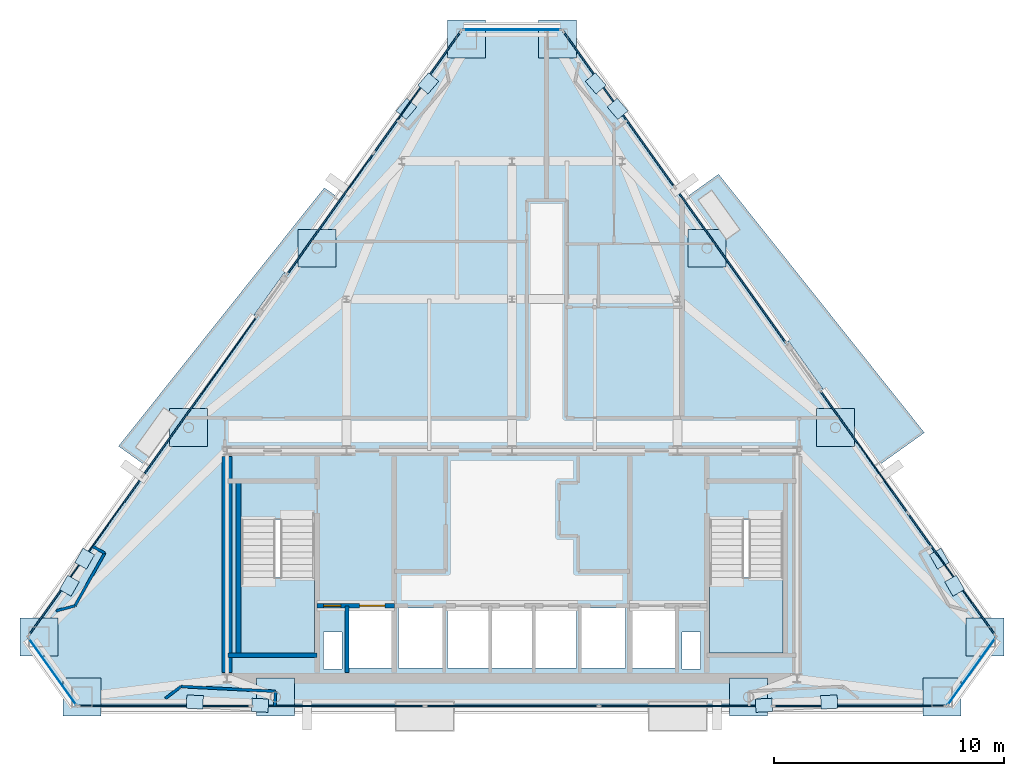
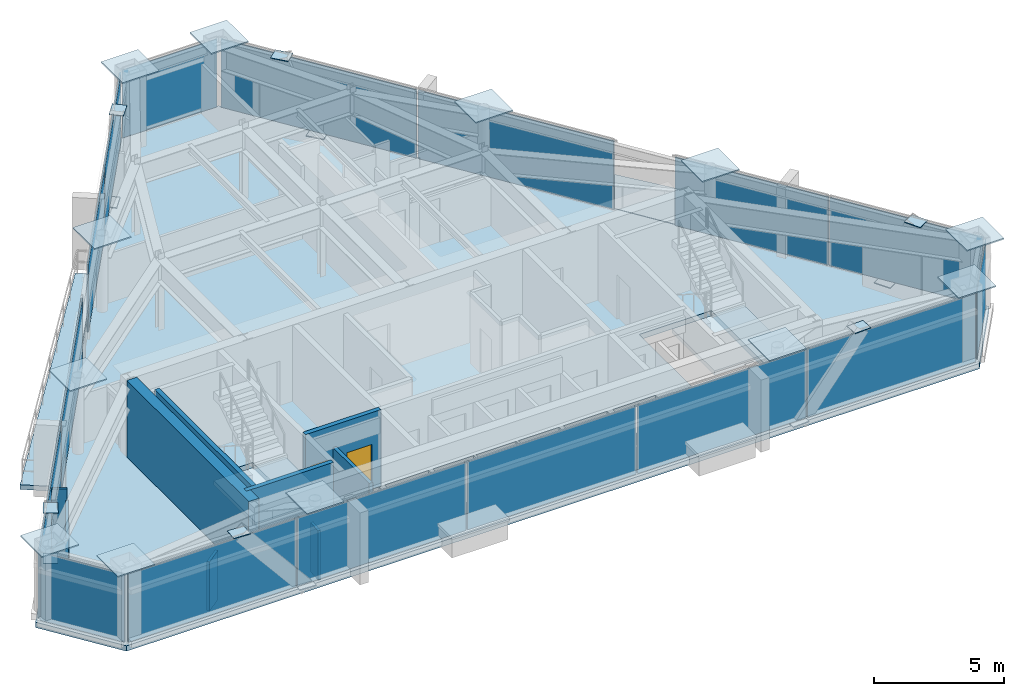
# One storey, part 7 of 11: 40 plates, 11 walls, 5 slabs, 2 doors, 2 openings, 10 elements without a shape of their own.
"""IFC4 building model written with IfcOpenShell, lengths in metres."""

from ifc_helpers import new_model, si_unit, direction, frame, frame_2d, origin, origin_2d, place, context, subcontext, project, spatial, polyline, rectangle, outline, extrude, source, transform, mapped, material, layer, layer_set, type_object, type_shapes, element, fill, aggregate, save


model = new_model("IFC4")

# Units and contexts
model_context = context("Model", 3, precision=1e-05, world=origin(), true_north=direction((0.0, 1.0)))
body_context = subcontext(model_context, "Body", "Model", "MODEL_VIEW")
ifc_project = project(units=[si_unit("LENGTHUNIT", "METRE"), si_unit("AREAUNIT", "SQUARE_METRE"), si_unit("VOLUMEUNIT", "CUBIC_METRE"), si_unit("PLANEANGLEUNIT", "RADIAN"), si_unit("MASSUNIT", "GRAM", prefix="KILO")], contexts=[model_context])

# Site, building, storey
site_placement = place(None, origin())
site = spatial("IfcSite", under=ifc_project, at=site_placement, CompositionType="ELEMENT")
building_placement = place(site_placement, origin())
building = spatial("IfcBuilding", under=site, at=building_placement, Name="Talgorran Terracotta Tower", CompositionType="ELEMENT")
storey_placement = place(building_placement, frame((0.0, 0.0, 274.199951171875)))
storey = spatial("IfcBuildingStorey", under=building, at=storey_placement, Name="L72", CompositionType="ELEMENT", Elevation=274.199951171875)

# Plates
ifc_material_1 = material(Name="Steel Grade 350 (350L0)", Category="steel")
ifc_layer_1 = layer(ifc_material_1, 0.031982421875, Name="PL_CAP_MN07")
ifc_layer_set_1 = layer_set([ifc_layer_1], Name="Steel Grade 350 (350L0)")
plate_type_1 = type_object("IfcPlateType", Name="PL_CAP_MN07", PredefinedType="USERDEFINED", material=ifc_layer_set_1)
for number, where, z_axis, x_axis, name in (
    (1, (-10.961669921875, -15.27880859375, -0.005859375), (0.0, 0.0, 1.0), (-0.998710511839, 0.050767248716, 0.0), "L72 Diagonal Frame End Cap SWF Bot"),
    (2, (-13.802490234375, -15.134521484375, 3.31884765625), (0.0, 0.0, 1.0), (-0.998710511839, 0.050767248716, 0.0), "L72 Diagonal Frame End Cap SWF Top"),
    (3, (10.961669921875, -15.27880859375, -0.005859375), (0.0, 0.0, 1.0), (0.998710511839, 0.050767248716, 0.0), "L72 Diagonal Frame End Cap SEF Bot"),
    (4, (13.802490234375, -15.134521484375, 3.31884765625), (0.0, 0.0, 1.0), (0.998710511839, 0.050767248716, 0.0), "L72 Diagonal Frame End Cap SEF Top"),
    (5, (18.593505859375, -8.900390625, -0.005859375), (0.0, 0.0, 1.0), (0.492879209759, -0.870097744272, 0.0), "L72 Diagonal Frame End Cap NEL Bot"),
    (6, (19.260498046875, -10.077880859375, 3.31884765625), (0.0, 0.0, 1.0), (0.492879209759, -0.870097744272, 0.0), "L72 Diagonal Frame End Cap NEL Top"),
    (7, (4.593994140625, 10.673583984375, -0.005859375), (0.0, 0.0, 1.0), (-0.649978753531, 0.75995238006, 0.0), "L72 Diagonal Frame End Cap NEU Bot"),
    (8, (3.643798828125, 11.78466796875, 3.31884765625), (0.0, 0.0, 1.0), (-0.649978753531, 0.75995238006, 0.0), "L72 Diagonal Frame End Cap NEU Top"),
    (9, (-4.593994140625, 10.673583984375, -0.005859375), (0.0, 0.0, 1.0), (0.649978753531, 0.75995238006, 0.0), "L72 Diagonal Frame End Cap NWU Bot"),
    (10, (-3.643798828125, 11.78466796875, 3.31884765625), (0.0, 0.0, 1.0), (0.649978753531, 0.75995238006, 0.0), "L72 Diagonal Frame End Cap NWU Top"),
    (11, (-18.593505859375, -8.900390625, -0.005859375), (0.0, 0.0, 1.0), (-0.492879209759, -0.870097744272, 0.0), "L72 Diagonal Frame End Cap NWL Bot"),
    (12, (-19.260498046875, -10.077880859375, 3.31884765625), (0.0, 0.0, 1.0), (-0.492879209759, -0.870097744272, 0.0), "L72 Diagonal Frame End Cap NWL Top"),
):
    element("IfcPlate", number, at=place(storey_placement, frame(where, z_axis=z_axis, x_axis=x_axis)), inside=storey, type_object=plate_type_1, Name=name, ObjectType="CAP PLATE", PredefinedType="USERDEFINED", context=body_context, shape_type="SweptSolid", body=[
        extrude(rectangle(XDim=0.719970703125, YDim=0.580078125, at=origin_2d()), origin(), (0.0, 0.0, 1.0), 0.031982421875),
    ])
ifc_layer_2 = layer(ifc_material_1, 0.06005859375, Name="PL_NODE_MN01")
ifc_layer_set_2 = layer_set([ifc_layer_2], Name="Steel Grade 350 (350L0)")
plate_type_2 = type_object("IfcPlateType", Name="PL_NODE_MN01", PredefinedType="USERDEFINED", material=ifc_layer_set_2)
for number, where, z_axis, x_axis, name in (
    (13, (-20.5849609375, -12.303466796875, 3.5849609375), (0.0, 0.0, 1.0), (1.0, 0.0, 0.0), "L72 Mega-Column Cap Plate MC1"),
    (14, (-18.71435546875, -14.9189453125, 3.5849609375), (0.0, 0.0, 1.0), (1.0, 0.0, 0.0), "L72 Mega-Column Cap Plate MC2"),
    (15, (18.71435546875, -14.9189453125, 3.5849609375), (0.0, 0.0, 1.0), (1.0, 0.0, 0.0), "L72 Mega-Column Cap Plate MC3"),
    (16, (20.5849609375, -12.303466796875, 3.5849609375), (0.0, 0.0, 1.0), (1.0, 0.0, 0.0), "L72 Mega-Column Cap Plate MC4"),
    (17, (1.97509765625, 13.716796875, 3.5849609375), (0.0, 0.0, 1.0), (1.0, 0.0, 0.0), "L72 Mega-Column Cap Plate MC5"),
    (18, (-1.97509765625, 13.716796875, 3.5849609375), (0.0, 0.0, 1.0), (1.0, 0.0, 0.0), "L72 Mega-Column Cap Plate MC6"),
    (19, (-10.29296875, -14.9189453125, 3.5849609375), (0.0, 0.0, 1.0), (1.0, 0.0, 0.0), "L72 Facet Column Cap Plate FC1"),
    (20, (10.29296875, -14.9189453125, 3.5849609375), (0.0, 0.0, 1.0), (1.0, 0.0, 0.0), "L72 Facet Column Cap Plate FC2"),
    (21, (14.071533203125, -3.1962890625, 3.5849609375), (0.0, 0.0, 1.0), (1.0, 0.0, 0.0), "L72 Facet Column Cap Plate FC3"),
    (22, (8.488525390625, 4.609619140625, 3.5849609375), (0.0, 0.0, 1.0), (1.0, 0.0, 0.0), "L72 Facet Column Cap Plate FC4"),
    (23, (-8.488525390625, 4.609619140625, 3.5849609375), (0.0, 0.0, 1.0), (1.0, 0.0, 0.0), "L72 Facet Column Cap Plate FC5"),
    (24, (-14.071533203125, -3.1962890625, 3.5849609375), (0.0, 0.0, 1.0), (1.0, 0.0, 0.0), "L72 Facet Column Cap Plate FC6"),
):
    element("IfcPlate", number, at=place(storey_placement, frame(where, z_axis=z_axis, x_axis=x_axis)), inside=storey, type_object=plate_type_2, Name=name, ObjectType="NODE PLATE", PredefinedType="USERDEFINED", context=body_context, shape_type="SweptSolid", body=[
        extrude(rectangle(XDim=1.64990234375, YDim=1.64990234375, at=origin_2d()), origin(), (0.0, 0.0, 1.0), 0.06005859375),
    ])

# Slabs
ifc_material_2 = material(Name="Concrete C40/50", Category="concrete")
ifc_layer_3 = layer(ifc_material_2, 0.219970703125, Name="SL_BALCONY_220")
ifc_layer_set_3 = layer_set([ifc_layer_3], Name="Concrete C40/50")
slab_type_1 = type_object("IfcSlabType", Name="SL_BALCONY_220", PredefinedType="FLOOR", material=ifc_layer_set_3)
slab_1_placement = place(storey_placement, frame((0.0, 0.0, -0.219970703125)))
element("IfcSlab", 25, at=slab_1_placement, inside=storey, type_object=slab_type_1, Name="L72 Outdoor Wave Balcony BAL-NE", PredefinedType="FLOOR", context=body_context, shape_type="SweptSolid", body=[
    extrude(outline(polyline([(7.569580078125, 6.814208984375), (15.92138671875, -4.863525390625), (17.94384765625, -3.4169921875), (8.989501953125, 7.829833984375), (7.569580078125, 6.814208984375)])), origin(), (0.0, 0.0, 1.0), 0.219970703125),
])
slab_2_placement = place(storey_placement, frame((0.0, 0.0, -0.219970703125)))
element("IfcSlab", 26, at=slab_2_placement, inside=storey, type_object=slab_type_1, Name="L72 Outdoor Wave Balcony BAL-NW", PredefinedType="FLOOR", context=body_context, shape_type="SweptSolid", body=[
    extrude(outline(polyline([(-15.92138671875, -4.863525390625), (-7.569580078125, 6.814208984375), (-8.16650390625, 7.2412109375), (-17.12060546875, -4.005859375), (-15.92138671875, -4.863525390625)])), origin(), (0.0, 0.0, 1.0), 0.219970703125),
])

# Stair, slab
stair_type = type_object("IfcStairType", Name="ST_FIRE_SCISSOR", PredefinedType="HALF_TURN_STAIR", material=ifc_material_2)
stair_1_placement = place(storey_placement, origin())
stair_1 = element("IfcStair", 27, at=stair_1_placement, inside=storey, type_object=stair_type, Name="L72 West Protected Fire Stair ST-01", PredefinedType="HALF_TURN_STAIR")
ifc_layer_4 = layer(ifc_material_2, 0.199951171875, Name="SL_LANDING_200")
ifc_layer_set_4 = layer_set([ifc_layer_4], Name="Concrete C40/50")
slab_type_2 = type_object("IfcSlabType", Name="SL_LANDING_200", PredefinedType="LANDING", material=ifc_layer_set_4)
slab_3_placement = place(storey_placement, frame((0.0, 0.0, 1.60009765625)))
slab_3 = element("IfcSlab", 28, at=slab_3_placement, type_object=slab_type_2, Name="ST-01 landing 1", PredefinedType="LANDING", context=body_context, shape_type="SweptSolid", body=[
    extrude(outline(polyline([(-11.800048828125, -9.719970703125), (-11.800048828125, -13.0), (-8.60009765625, -13.0), (-8.60009765625, -9.719970703125), (-11.800048828125, -9.719970703125)])), origin(), (0.0, 0.0, 1.0), 0.199951171875),
])
aggregate(stair_1, [slab_3])

stair_2_placement = place(storey_placement, origin())
stair_2 = element("IfcStair", 29, at=stair_2_placement, inside=storey, type_object=stair_type, Name="L72 East Protected Fire Stair ST-02", PredefinedType="HALF_TURN_STAIR")
slab_4_placement = place(storey_placement, frame((0.0, 0.0, 1.60009765625)))
slab_4 = element("IfcSlab", 30, at=slab_4_placement, type_object=slab_type_2, Name="ST-02 landing 1", PredefinedType="LANDING", context=body_context, shape_type="SweptSolid", body=[
    extrude(outline(polyline([(8.60009765625, -9.719970703125), (8.60009765625, -13.0), (11.800048828125, -13.0), (11.800048828125, -9.719970703125), (8.60009765625, -9.719970703125)])), origin(), (0.0, 0.0, 1.0), 0.199951171875),
])
aggregate(stair_2, [slab_4])

# Slab
ifc_layer_5 = layer(ifc_material_2, 0.2548828125, Name="SL_TOWER_235")
ifc_layer_set_5 = layer_set([ifc_layer_5], Name="Concrete C40/50")
slab_type_3 = type_object("IfcSlabType", Name="SL_TOWER_235", PredefinedType="FLOOR", material=ifc_layer_set_5)
slab_5_placement = place(storey_placement, frame((0.0, 0.0, -0.2548828125)))
element("IfcSlab", 31, at=slab_5_placement, inside=storey, type_object=slab_type_3, Name="Storey L72 Structural Floor Slab", PredefinedType="FLOOR", context=body_context, shape_type="SweptSolid", body=[
    extrude(outline(polyline([(-21.22412109375, -12.303466796875), (-18.981689453125, -15.43896484375), (18.981689453125, -15.43896484375), (21.22412109375, -12.303466796875), (2.242431640625, 14.23681640625), (-2.242431640625, 14.23681640625), (-21.22412109375, -12.303466796875)]), holes=[polyline([(-11.800048828125, -7.199951171875), (-11.800048828125, -13.0), (-8.60009765625, -13.0), (-8.60009765625, -7.199951171875), (-11.800048828125, -7.199951171875)]), polyline([(8.60009765625, -7.199951171875), (8.60009765625, -13.0), (11.800048828125, -13.0), (11.800048828125, -7.199951171875), (8.60009765625, -7.199951171875)]), polyline([(-7.10009765625, -13.64990234375), (-5.199951171875, -13.64990234375), (-5.199951171875, -11.050048828125), (-7.10009765625, -11.050048828125), (-7.10009765625, -13.64990234375)]), polyline([(5.199951171875, -13.64990234375), (7.10009765625, -13.64990234375), (7.10009765625, -11.050048828125), (5.199951171875, -11.050048828125), (5.199951171875, -13.64990234375)]), polyline([(3.0, -13.64990234375), (4.949951171875, -13.64990234375), (4.949951171875, -11.050048828125), (3.0, -11.050048828125), (3.0, -13.64990234375)]), polyline([(-4.949951171875, -13.64990234375), (-3.0, -13.64990234375), (-3.0, -11.050048828125), (-4.949951171875, -11.050048828125), (-4.949951171875, -13.64990234375)]), polyline([(-2.800048828125, -13.64990234375), (-1.0, -13.64990234375), (-1.0, -11.050048828125), (-2.800048828125, -11.050048828125), (-2.800048828125, -13.64990234375)]), polyline([(-0.89990234375, -13.64990234375), (0.89990234375, -13.64990234375), (0.89990234375, -11.050048828125), (-0.89990234375, -11.050048828125), (-0.89990234375, -13.64990234375)]), polyline([(1.0, -13.64990234375), (2.800048828125, -13.64990234375), (2.800048828125, -11.050048828125), (1.0, -11.050048828125), (1.0, -13.64990234375)]), polyline([(-8.199951171875, -13.699951171875), (-7.39990234375, -13.699951171875), (-7.39990234375, -12.10009765625), (-8.199951171875, -12.10009765625), (-8.199951171875, -13.699951171875)]), polyline([(7.39990234375, -13.699951171875), (8.199951171875, -13.699951171875), (8.199951171875, -12.10009765625), (7.39990234375, -12.10009765625), (7.39990234375, -13.699951171875)])]), origin(), (0.0, 0.0, 1.0), 0.2548828125),
])

# Curtain wall, plate
ifc_material_3 = material(Name="High-Wind Unitised Glazing", Category="glass")
ifc_layer_6 = layer(ifc_material_3, 0.2099609375, Name="CW_SYS3_RES_HIGH")
ifc_layer_set_6 = layer_set([ifc_layer_6], Name="High-Wind Unitised Glazing")
curtain_wall_type = type_object("IfcCurtainWallType", Name="CW_SYS3_RES_HIGH", PredefinedType="NOTDEFINED", material=ifc_layer_set_6)
curtain_wall_1_placement = place(storey_placement, origin())
curtain_wall_1 = element("IfcCurtainWall", 32, at=curtain_wall_1_placement, inside=storey, type_object=curtain_wall_type, Name="CW-L72-F0", PredefinedType="NOTDEFINED")
ifc_material_4 = material(Name="High-Wind Acoustic Vision Glass", Category="glass")
ifc_layer_7 = layer(ifc_material_4, 0.031982421875, Name="PLT_VISION_32")
ifc_layer_set_7 = layer_set([ifc_layer_7], Name="High-Wind Acoustic Vision Glass")
plate_type_3 = type_object("IfcPlateType", Name="PLT_VISION_32", PredefinedType="CURTAIN_PANEL", material=ifc_layer_set_7)
shared_shape_1 = source(origin(), body_context, "Body", "SweptSolid", [
    extrude(rectangle(XDim=3.5673828125, YDim=0.031982421875, at=origin_2d()), origin(), (0.0, 0.0, 1.0), 3.205078125),
])
plate_1_placement = place(storey_placement, frame((-19.998291015625, -13.811279296875, 0.070068359375), z_axis=(0.0, 0.0, 1.0), x_axis=(0.581745845777, -0.813370623345, 0.0)))
plate_1 = element("IfcPlate", 33, at=plate_1_placement, type_object=plate_type_3, Name="CW-L72-0 panel 1.1", PredefinedType="CURTAIN_PANEL", context=body_context, shape_type="MappedRepresentation", body=[
    mapped(shared_shape_1, transform((0.0, 0.0, 0.0), scale=1.0)),
])
aggregate(curtain_wall_1, [plate_1])

curtain_wall_2_placement = place(storey_placement, origin())
curtain_wall_2 = element("IfcCurtainWall", 34, at=curtain_wall_2_placement, inside=storey, type_object=curtain_wall_type, Name="CW-L72-F2", PredefinedType="NOTDEFINED")
plate_2_placement = place(storey_placement, frame((19.998291015625, -13.811279296875, 0.070068359375), z_axis=(0.0, 0.0, 1.0), x_axis=(0.581745845777, 0.813370623345, 0.0)))
plate_2 = element("IfcPlate", 35, at=plate_2_placement, type_object=plate_type_3, Name="CW-L72-2 panel 1.1", PredefinedType="CURTAIN_PANEL", context=body_context, shape_type="MappedRepresentation", body=[
    mapped(shared_shape_1, transform((0.0, 0.0, 0.0), scale=1.0)),
])
aggregate(curtain_wall_2, [plate_2])

curtain_wall_3_placement = place(storey_placement, origin())
curtain_wall_3 = element("IfcCurtainWall", 36, at=curtain_wall_3_placement, inside=storey, type_object=curtain_wall_type, Name="CW-L72-F4", PredefinedType="NOTDEFINED")
shared_shape_2 = source(origin(), body_context, "Body", "SweptSolid", [
    extrude(rectangle(XDim=4.2216796875, YDim=0.031982421875, at=origin_2d()), origin(), (0.0, 0.0, 1.0), 3.205078125),
])
type_shapes(plate_type_3, [shared_shape_1, shared_shape_2])
plate_3_placement = place(storey_placement, frame((0.0, 14.11669921875, 0.070068359375), z_axis=(0.0, 0.0, 1.0), x_axis=(-1.0, 0.0, 0.0)))
plate_3 = element("IfcPlate", 37, at=plate_3_placement, type_object=plate_type_3, Name="CW-L72-4 panel 1.1", PredefinedType="CURTAIN_PANEL", context=body_context, shape_type="MappedRepresentation", body=[
    mapped(shared_shape_2, transform((0.0, 0.0, 0.0), scale=1.0)),
])
aggregate(curtain_wall_3, [plate_3])

# Curtain wall, plates
curtain_wall_4_placement = place(storey_placement, origin())
curtain_wall_4 = element("IfcCurtainWall", 38, at=curtain_wall_4_placement, inside=storey, type_object=curtain_wall_type, Name="CW-L72-F1", PredefinedType="NOTDEFINED")
ifc_material_5 = material(Name="Terracotta Insulated Spandrel", Category="masonry")
ifc_layer_8 = layer(ifc_material_5, 0.06494140625, Name="PLT_SPANDREL_TERRA")
ifc_layer_set_8 = layer_set([ifc_layer_8], Name="Terracotta Insulated Spandrel")
plate_type_4 = type_object("IfcPlateType", Name="PLT_SPANDREL_TERRA", PredefinedType="SHEET", material=ifc_layer_set_8)
shared_shape_3 = source(origin(), body_context, "Body", "SweptSolid", [
    extrude(rectangle(XDim=7.462890625, YDim=0.06494140625, at=origin_2d()), origin(), (0.0, 0.0, 1.0), 3.205078125),
])
plate_4_placement = place(storey_placement, frame((-15.118408203125, -15.31884765625, 0.070068359375), z_axis=(0.0, 0.0, 1.0), x_axis=(1.0, 0.0, 0.0)))
plate_4 = element("IfcPlate", 39, at=plate_4_placement, type_object=plate_type_4, Name="CW-L72-1 panel 1.1", PredefinedType="CURTAIN_PANEL", context=body_context, shape_type="MappedRepresentation", body=[
    mapped(shared_shape_3, transform((0.0, 0.0, 0.0), scale=1.0)),
])
plate_5_placement = place(storey_placement, frame((15.118408203125, -15.31884765625, 0.070068359375), z_axis=(0.0, 0.0, 1.0), x_axis=(1.0, 0.0, 0.0)))
plate_5 = element("IfcPlate", 40, at=plate_5_placement, type_object=plate_type_4, Name="CW-L72-1 panel 5.1", PredefinedType="CURTAIN_PANEL", context=body_context, shape_type="MappedRepresentation", body=[
    mapped(shared_shape_3, transform((0.0, 0.0, 0.0), scale=1.0)),
])
shared_shape_4 = source(origin(), body_context, "Body", "SweptSolid", [
    extrude(rectangle(XDim=7.498046875, YDim=0.06494140625, at=origin_2d()), origin(), (0.0, 0.0, 1.0), 3.205078125),
])
plate_6_placement = place(storey_placement, frame((-7.568115234375, -15.31884765625, 0.070068359375), z_axis=(0.0, 0.0, 1.0), x_axis=(1.0, 0.0, 0.0)))
plate_6 = element("IfcPlate", 41, at=plate_6_placement, type_object=plate_type_4, Name="CW-L72-1 panel 2.1", PredefinedType="CURTAIN_PANEL", context=body_context, shape_type="MappedRepresentation", body=[
    mapped(shared_shape_4, transform((0.0, 0.0, 0.0), scale=1.0)),
])
plate_7_placement = place(storey_placement, frame((0.0, -15.31884765625, 0.070068359375), z_axis=(0.0, 0.0, 1.0), x_axis=(1.0, 0.0, 0.0)))
plate_7 = element("IfcPlate", 42, at=plate_7_placement, type_object=plate_type_4, Name="CW-L72-1 panel 3.1", PredefinedType="CURTAIN_PANEL", context=body_context, shape_type="MappedRepresentation", body=[
    mapped(shared_shape_4, transform((0.0, 0.0, 0.0), scale=1.0)),
])
plate_8_placement = place(storey_placement, frame((7.568115234375, -15.31884765625, 0.070068359375), z_axis=(0.0, 0.0, 1.0), x_axis=(1.0, 0.0, 0.0)))
plate_8 = element("IfcPlate", 43, at=plate_8_placement, type_object=plate_type_4, Name="CW-L72-1 panel 4.1", PredefinedType="CURTAIN_PANEL", context=body_context, shape_type="MappedRepresentation", body=[
    mapped(shared_shape_4, transform((0.0, 0.0, 0.0), scale=1.0)),
])
aggregate(curtain_wall_4, [plate_4, plate_6, plate_7, plate_8, plate_5])

curtain_wall_5_placement = place(storey_placement, origin())
curtain_wall_5 = element("IfcCurtainWall", 44, at=curtain_wall_5_placement, inside=storey, type_object=curtain_wall_type, Name="CW-L72-F40", PredefinedType="NOTDEFINED")
shared_shape_5 = source(origin(), body_context, "Body", "SweptSolid", [
    extrude(rectangle(XDim=6.482421875, YDim=0.06494140625, at=origin_2d()), origin(), (0.0, 0.0, 1.0), 3.205078125),
])
plate_9_placement = place(storey_placement, frame((19.127197265625, -9.57763671875, 0.070068359375), z_axis=(0.0, 0.0, 1.0), x_axis=(-0.581729195229, 0.813382532034, 0.0)))
plate_9 = element("IfcPlate", 45, at=plate_9_placement, type_object=plate_type_4, Name="CW-L72-40 panel 1.1", PredefinedType="CURTAIN_PANEL", context=body_context, shape_type="MappedRepresentation", body=[
    mapped(shared_shape_5, transform((0.0, 0.0, 0.0), scale=1.0)),
])
plate_10_placement = place(storey_placement, frame((15.3154296875, -4.248046875, 0.070068359375), z_axis=(0.0, 0.0, 1.0), x_axis=(-0.581729195229, 0.813382532034, 0.0)))
plate_10 = element("IfcPlate", 46, at=plate_10_placement, type_object=plate_type_4, Name="CW-L72-40 panel 2.1", PredefinedType="CURTAIN_PANEL", context=body_context, shape_type="MappedRepresentation", body=[
    mapped(shared_shape_5, transform((0.0, 0.0, 0.0), scale=1.0)),
])
aggregate(curtain_wall_5, [plate_9, plate_10])

curtain_wall_6_placement = place(storey_placement, origin())
curtain_wall_6 = element("IfcCurtainWall", 47, at=curtain_wall_6_placement, inside=storey, type_object=curtain_wall_type, Name="CW-L72-F41", PredefinedType="NOTDEFINED")
shared_shape_6 = source(origin(), body_context, "Body", "SweptSolid", [
    extrude(rectangle(XDim=8.278564453125, YDim=0.06494140625, at=origin_2d()), origin(), (0.0, 0.0, 1.0), 3.205078125),
])
plate_11_placement = place(storey_placement, frame((9.509521484375, 3.869873046875, 0.070068359375), z_axis=(0.0, 0.0, 1.0), x_axis=(-0.581732855076, 0.813379914508, 0.0)))
plate_11 = element("IfcPlate", 48, at=plate_11_placement, type_object=plate_type_4, Name="CW-L72-41 panel 1.1", PredefinedType="CURTAIN_PANEL", context=body_context, shape_type="MappedRepresentation", body=[
    mapped(shared_shape_6, transform((0.0, 0.0, 0.0), scale=1.0)),
])
plate_12_placement = place(storey_placement, frame((4.65283203125, 10.660400390625, 0.070068359375), z_axis=(0.0, 0.0, 1.0), x_axis=(-0.581732855076, 0.813379914508, 0.0)))
plate_12 = element("IfcPlate", 49, at=plate_12_placement, type_object=plate_type_4, Name="CW-L72-41 panel 2.1", PredefinedType="CURTAIN_PANEL", context=body_context, shape_type="MappedRepresentation", body=[
    mapped(shared_shape_6, transform((0.0, 0.0, 0.0), scale=1.0)),
])
aggregate(curtain_wall_6, [plate_11, plate_12])

curtain_wall_7_placement = place(storey_placement, origin())
curtain_wall_7 = element("IfcCurtainWall", 50, at=curtain_wall_7_placement, inside=storey, type_object=curtain_wall_type, Name="CW-L72-F60", PredefinedType="NOTDEFINED")
shared_shape_7 = source(origin(), body_context, "Body", "SweptSolid", [
    extrude(rectangle(XDim=6.445068359375, YDim=0.06494140625, at=origin_2d()), origin(), (0.0, 0.0, 1.0), 3.205078125),
])
plate_13_placement = place(storey_placement, frame((-4.119384765625, 11.40625, 0.070068359375), z_axis=(0.0, 0.0, 1.0), x_axis=(-0.581731264367, -0.813381052188, 0.0)))
plate_13 = element("IfcPlate", 51, at=plate_13_placement, type_object=plate_type_4, Name="CW-L72-60 panel 1.1", PredefinedType="CURTAIN_PANEL", context=body_context, shape_type="MappedRepresentation", body=[
    mapped(shared_shape_7, transform((0.0, 0.0, 0.0), scale=1.0)),
])
plate_14_placement = place(storey_placement, frame((-7.90966796875, 6.10693359375, 0.070068359375), z_axis=(0.0, 0.0, 1.0), x_axis=(-0.581731264367, -0.813381052188, 0.0)))
plate_14 = element("IfcPlate", 52, at=plate_14_placement, type_object=plate_type_4, Name="CW-L72-60 panel 2.1", PredefinedType="CURTAIN_PANEL", context=body_context, shape_type="MappedRepresentation", body=[
    mapped(shared_shape_7, transform((0.0, 0.0, 0.0), scale=1.0)),
])
aggregate(curtain_wall_7, [plate_13, plate_14])

curtain_wall_8_placement = place(storey_placement, origin())
curtain_wall_8 = element("IfcCurtainWall", 53, at=curtain_wall_8_placement, inside=storey, type_object=curtain_wall_type, Name="CW-L72-F61", PredefinedType="NOTDEFINED")
shared_shape_8 = source(origin(), body_context, "Body", "SweptSolid", [
    extrude(rectangle(XDim=8.4658203125, YDim=0.06494140625, at=origin_2d()), origin(), (0.0, 0.0, 1.0), 3.205078125),
])
type_shapes(plate_type_4, [shared_shape_3, shared_shape_4, shared_shape_5, shared_shape_6, shared_shape_7, shared_shape_8])
plate_15_placement = place(storey_placement, frame((-13.584716796875, -1.828125, 0.070068359375), z_axis=(0.0, 0.0, 1.0), x_axis=(-0.581730877251, -0.813381329053, 0.0)))
plate_15 = element("IfcPlate", 54, at=plate_15_placement, type_object=plate_type_4, Name="CW-L72-61 panel 1.1", PredefinedType="CURTAIN_PANEL", context=body_context, shape_type="MappedRepresentation", body=[
    mapped(shared_shape_8, transform((0.0, 0.0, 0.0), scale=1.0)),
])
plate_16_placement = place(storey_placement, frame((-18.55029296875, -8.77099609375, 0.070068359375), z_axis=(0.0, 0.0, 1.0), x_axis=(-0.581730877251, -0.813381329053, 0.0)))
plate_16 = element("IfcPlate", 55, at=plate_16_placement, type_object=plate_type_4, Name="CW-L72-61 panel 2.1", PredefinedType="CURTAIN_PANEL", context=body_context, shape_type="MappedRepresentation", body=[
    mapped(shared_shape_8, transform((0.0, 0.0, 0.0), scale=1.0)),
])
aggregate(curtain_wall_8, [plate_15, plate_16])

# Walls
ifc_material_6 = material(Name="Concrete C50/60", Category="concrete")
ifc_layer_9 = layer(ifc_material_6, 0.199951171875, Name="WT_CORE_200")
ifc_layer_set_9 = layer_set([ifc_layer_9], Name="Concrete C50/60")
wall_type_1 = type_object("IfcWallType", Name="WT_CORE_200", PredefinedType="SOLIDWALL", material=ifc_layer_set_9)
wall_1_placement = place(storey_placement, frame((-12.35009765625, -13.10009765625, 0.0), z_axis=(0.0, 0.0, 1.0), x_axis=(1.0, 0.0, 0.0)))
element("IfcWall", 56, at=wall_1_placement, inside=storey, type_object=wall_type_1, Name="WL-L72-CW-ST1-S", PredefinedType="SOLIDWALL", context=body_context, shape_type="SweptSolid", body=[
    extrude(rectangle(XDim=3.8701171875, YDim=0.199951171875, at=frame_2d((1.93505859375, 0.0))), origin(), (0.0, 0.0, 1.0), 3.60009765625),
])
wall_2_placement = place(storey_placement, frame((-11.89990234375, -13.10009765625, 0.0), z_axis=(0.0, 0.0, 1.0), x_axis=(0.0, 1.0, 0.0)))
element("IfcWall", 57, at=wall_2_placement, inside=storey, type_object=wall_type_1, Name="WL-L72-CW-ST1-W", PredefinedType="SOLIDWALL", context=body_context, shape_type="SweptSolid", body=[
    extrude(rectangle(XDim=7.580078125, YDim=0.199951171875, at=frame_2d((3.7900390625, 0.0))), origin(), (0.0, 0.0, 1.0), 3.60009765625),
])

# Wall, openings, doors
wall_3_placement = place(storey_placement, frame((-8.47998046875, -10.949951171875, 0.0), z_axis=(0.0, 0.0, 1.0), x_axis=(1.0, 0.0, 0.0)))
wall_3 = element("IfcWall", 58, at=wall_3_placement, inside=storey, type_object=wall_type_1, Name="WL-L72-CW-H-SBW", PredefinedType="SOLIDWALL", context=body_context, shape_type="SweptSolid", body=[
    extrude(rectangle(XDim=3.35986328125, YDim=0.199951171875, at=frame_2d((1.679931640625, 0.0))), origin(), (0.0, 0.0, 1.0), 3.60009765625),
])
opening_1_placement = place(wall_3_placement, frame((0.280029296875, 0.0, 0.0)))
opening_1 = element("IfcOpeningElement", 59, at=opening_1_placement, cuts=wall_3, Name="Opening DR-RSW", PredefinedType="OPENING", context=body_context, shape_type="SweptSolid", body=[
    extrude(rectangle(XDim=0.756, YDim=2.054048828125, at=frame_2d((0.375, 1.027099609375))), frame((0.0, 0.10986328125, 0.0), z_axis=(0.0, -1.0, 0.0), x_axis=(1.0, 0.0, 0.0)), (0.0, 0.0, 1.0), 0.219970703125),
])
opening_2_placement = place(wall_3_placement, frame((1.85009765625, 0.0, 0.0)))
opening_2 = element("IfcOpeningElement", 60, at=opening_2_placement, cuts=wall_3, Name="Opening LD-FFL1", PredefinedType="OPENING", context=body_context, shape_type="SweptSolid", body=[
    extrude(rectangle(XDim=1.10609765625, YDim=2.10409765625, at=frame_2d((0.550048828125, 1.052001953125))), frame((0.0, 0.10986328125, 0.0), z_axis=(0.0, -1.0, 0.0), x_axis=(1.0, 0.0, 0.0)), (0.0, 0.0, 1.0), 0.219970703125),
])
ifc_material_7 = material(Name="Brushed Stainless Steel Grade 304", Category="steel")
door_type_1 = type_object("IfcDoorType", Name="DT_LIFT_LD1100", OperationType="DOUBLE_DOOR_SLIDING", PredefinedType="DOOR", material=ifc_material_7)
door_1_placement = place(opening_2_placement, origin())
door_1 = element("IfcDoor", 61, at=door_1_placement, inside=storey, type_object=door_type_1, Name="L72 Lift Landing Door LD-FFL1", OperationType="DOUBLE_DOOR_SLIDING", OverallHeight=2.10009765625, OverallWidth=1.10009765625, PredefinedType="DOOR", context=body_context, shape_type="SweptSolid", body=[
    extrude(rectangle(XDim=1.10009765625, YDim=2.10009765625, at=frame_2d((0.550048828125, 1.050048828125))), frame((0.0, 0.02490234375, 0.0), z_axis=(0.0, -1.0, 0.0), x_axis=(1.0, 0.0, 0.0)), (0.0, 0.0, 1.0), 0.050048828125),
])
fill(opening_2, door_1)
ifc_material_8 = material(Name="Fire-Rated Pressed Steel", Category="steel")
door_type_2 = type_object("IfcDoorType", Name="DT_RISER_750", OperationType="NOTDEFINED", PredefinedType="DOOR", material=ifc_material_8)
door_2_placement = place(opening_1_placement, origin())
door_2 = element("IfcDoor", 62, at=door_2_placement, inside=storey, type_object=door_type_2, Name="DR-RSW", OperationType="SINGLE_SWING_LEFT", OverallHeight=2.050048828125, OverallWidth=0.75, PredefinedType="DOOR", context=body_context, shape_type="SweptSolid", body=[
    extrude(rectangle(XDim=0.75, YDim=2.050048828125, at=frame_2d((0.375, 1.02490234375))), frame((0.0, 0.02490234375, 0.0), z_axis=(0.0, -1.0, 0.0), x_axis=(1.0, 0.0, 0.0)), (0.0, 0.0, 1.0), 0.050048828125),
])
fill(opening_1, door_2)

# Walls
ifc_material_9 = material(Name="Concrete C65/80", Category="concrete")
ifc_layer_10 = layer(ifc_material_9, 0.449951171875, Name="WT_CORE_EXT")
ifc_layer_set_10 = layer_set([ifc_layer_10], Name="Concrete C65/80")
wall_type_2 = type_object("IfcWallType", Name="WT_CORE_EXT", PredefinedType="SHEAR", material=ifc_layer_set_10)
wall_4_placement = place(storey_placement, frame((-12.39990234375, -13.85009765625, 0.0), z_axis=(0.0, 0.0, 1.0), x_axis=(0.0, 1.0, 0.0)))
element("IfcWall", 63, at=wall_4_placement, inside=storey, type_object=wall_type_2, Name="WL-L72-CW-OUT-W", PredefinedType="SHEAR", context=body_context, shape_type="SweptSolid", body=[
    extrude(rectangle(XDim=9.400146484375, YDim=0.449951171875, at=frame_2d((4.7001953125, 0.0))), origin(), (0.0, 0.0, 1.0), 3.60009765625),
])
ifc_material_10 = material(Name="Insulated Steel Stud Plasterboard", Category="steel")
ifc_layer_11 = layer(ifc_material_10, 0.1201171875, Name="WT_PART_120")
ifc_layer_set_11 = layer_set([ifc_layer_11], Name="Insulated Steel Stud Plasterboard")
wall_type_3 = type_object("IfcWallType", Name="WT_PART_120", PredefinedType="PARTITIONING", material=ifc_layer_set_11)
wall_5_placement = place(storey_placement, frame((-14.4091796875, -14.462646484375, 0.0), z_axis=(0.0, 0.0, 1.0), x_axis=(0.998709464059, -0.050787856814, 0.0)))
element("IfcWall", 64, at=wall_5_placement, inside=storey, type_object=wall_type_3, Name="WL-L72-BW-L72-02", PredefinedType="PARTITIONING", context=body_context, shape_type="SweptSolid", body=[
    extrude(rectangle(XDim=4.12451171875, YDim=0.1201171875, at=frame_2d((2.062255859375, 0.0))), origin(), (0.0, 0.0, 1.0), 2.320068359375),
])
wall_6_placement = place(storey_placement, frame((-17.72119140625, -8.658935546875, 0.0), z_axis=(0.0, 0.0, 1.0), x_axis=(-0.492860512567, -0.870108335297, 0.0)))
element("IfcWall", 65, at=wall_6_placement, inside=storey, type_object=wall_type_3, Name="WL-L72-BW-L72-09", PredefinedType="PARTITIONING", context=body_context, shape_type="SweptSolid", body=[
    extrude(rectangle(XDim=2.63330078125, YDim=0.1201171875, at=frame_2d((1.316650390625, 0.0))), origin(), (0.0, 0.0, 1.0), 2.320068359375),
])
wall_7_placement = place(storey_placement, frame((-15.083984375, -14.982421875, 0.0), z_axis=(0.0, 0.0, 1.0), x_axis=(0.792229581797, 0.610223147484, 0.0)))
element("IfcWall", 66, at=wall_7_placement, inside=storey, type_object=wall_type_3, Name="WL-L72-BW-L72-01", PredefinedType="PARTITIONING", context=body_context, shape_type="SweptSolid", body=[
    extrude(rectangle(XDim=0.851806640625, YDim=0.1201171875, at=frame_2d((0.42578125, 0.0))), origin(), (0.0, 0.0, 1.0), 2.320068359375),
])
wall_8_placement = place(storey_placement, frame((-19.01904296875, -10.9501953125, 0.0), z_axis=(0.0, 0.0, 1.0), x_axis=(-0.964783720957, -0.263044429283, 0.0)))
element("IfcWall", 67, at=wall_8_placement, inside=storey, type_object=wall_type_3, Name="WL-L72-BW-L72-10", PredefinedType="PARTITIONING", context=body_context, shape_type="SweptSolid", body=[
    extrude(rectangle(XDim=0.84912109375, YDim=0.1201171875, at=frame_2d((0.424560546875, 0.0))), origin(), (0.0, 0.0, 1.0), 2.320068359375),
])
wall_9_placement = place(storey_placement, frame((-10.2900390625, -14.672119140625, 0.0), z_axis=(0.0, 0.0, 1.0), x_axis=(-0.050930748048, -0.998702187293, 0.0)))
element("IfcWall", 68, at=wall_9_placement, inside=storey, type_object=wall_type_3, Name="WL-L72-BW-L72-03", PredefinedType="PARTITIONING", context=body_context, shape_type="SweptSolid", body=[
    extrude(rectangle(XDim=0.637451171875, YDim=0.1201171875, at=frame_2d((0.31884765625, 0.0))), origin(), (0.0, 0.0, 1.0), 2.320068359375),
])
wall_10_placement = place(storey_placement, frame((-18.24560546875, -8.362060546875, 0.0), z_axis=(0.0, 0.0, 1.0), x_axis=(0.870230638559, -0.492644532816, 0.0)))
element("IfcWall", 69, at=wall_10_placement, inside=storey, type_object=wall_type_3, Name="WL-L72-BW-L72-08", PredefinedType="PARTITIONING", context=body_context, shape_type="SweptSolid", body=[
    extrude(rectangle(XDim=0.6025390625, YDim=0.1201171875, at=frame_2d((0.30126953125, 0.0))), origin(), (0.0, 0.0, 1.0), 2.863037109375),
])
ifc_material_11 = material(Name="Fire-Rated Shaftwall")
ifc_layer_12 = layer(ifc_material_11, 0.159912109375, Name="WT_PART_150")
ifc_layer_set_12 = layer_set([ifc_layer_12], Name="Fire-Rated Shaftwall")
wall_type_4 = type_object("IfcWallType", Name="WT_PART_150", PredefinedType="PARTITIONING", material=ifc_layer_set_12)
wall_11_placement = place(storey_placement, frame((-7.179931640625, -13.85009765625, 0.0), z_axis=(0.0, 0.0, 1.0), x_axis=(0.0, 1.0, 0.0)))
element("IfcWall", 70, at=wall_11_placement, inside=storey, type_object=wall_type_4, Name="WL-L72-CW-RSW", PredefinedType="PARTITIONING", context=body_context, shape_type="SweptSolid", body=[
    extrude(rectangle(XDim=2.900146484375, YDim=0.159912109375, at=frame_2d((1.4501953125, 0.0))), origin(), (0.0, 0.0, 1.0), 2.570068359375),
])

save(model, "model.ifc")
